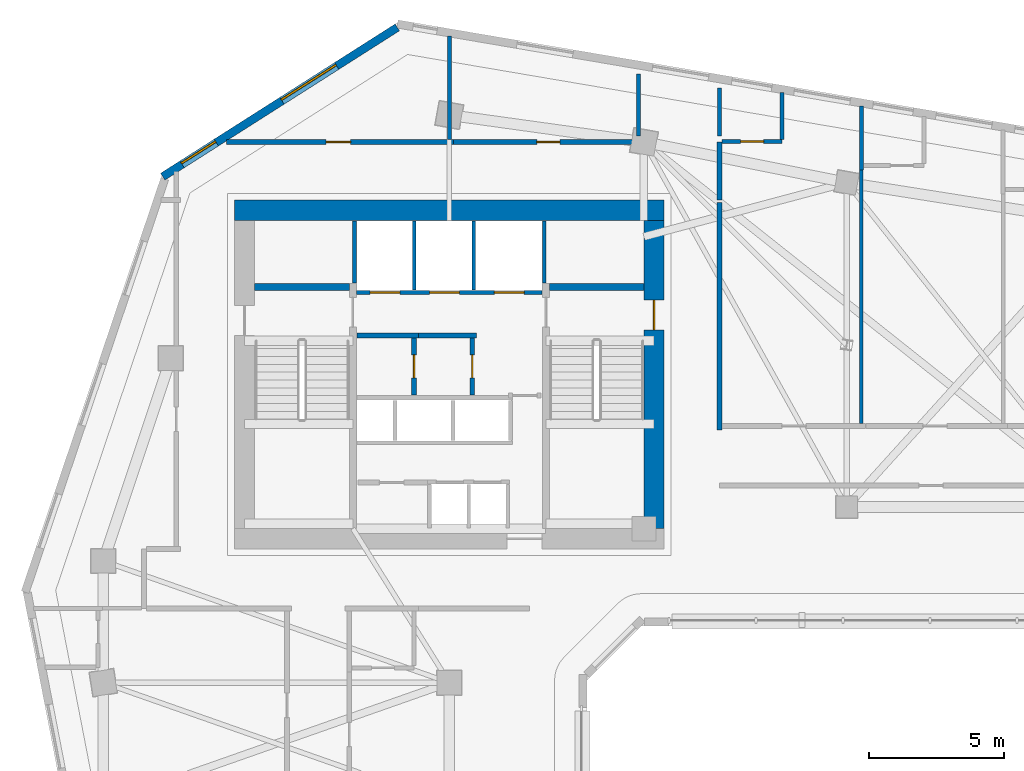
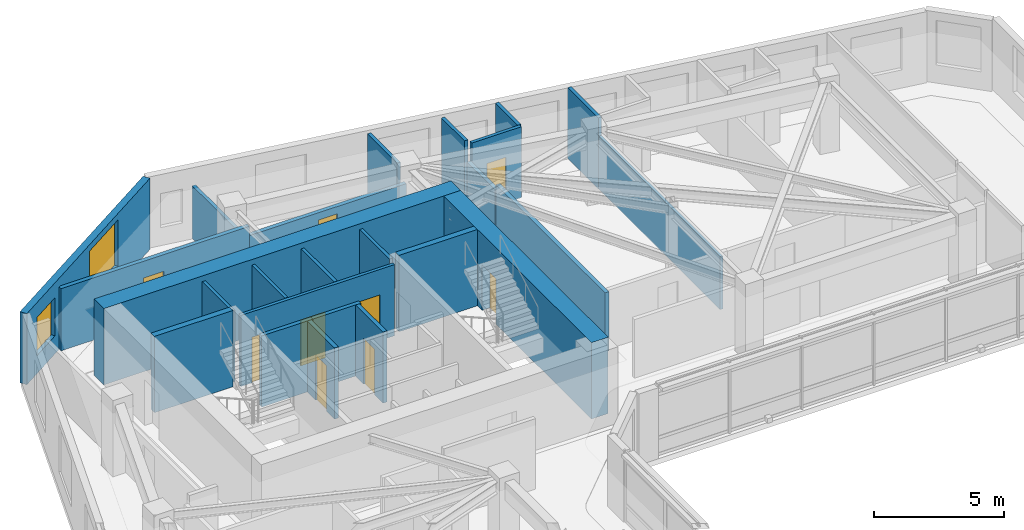
# One storey, part 7 of 11: 25 walls, 9 doors, 2 windows, 11 openings.
"""IFC4 building model written with IfcOpenShell, lengths in metres."""

from ifc_helpers import new_model, si_unit, direction, frame, frame_2d, origin, place, context, subcontext, project, spatial, rectangle, extrude, source, transform, mapped, material, layer, layer_set, type_object, element, fill, save


model = new_model("IFC4")

# Units and contexts
model_context = context("Model", 3, precision=1e-05, world=origin(), true_north=direction((0.0, 1.0)))
body_context = subcontext(model_context, "Body", "Model", "MODEL_VIEW")
ifc_project = project(units=[si_unit("LENGTHUNIT", "METRE"), si_unit("AREAUNIT", "SQUARE_METRE"), si_unit("VOLUMEUNIT", "CUBIC_METRE"), si_unit("PLANEANGLEUNIT", "RADIAN"), si_unit("MASSUNIT", "GRAM", prefix="KILO")], contexts=[model_context])

# Site, building, storey
site_placement = place(None, origin())
site = spatial("IfcSite", under=ifc_project, at=site_placement, CompositionType="ELEMENT")
building_placement = place(site_placement, origin())
building = spatial("IfcBuilding", under=site, at=building_placement, Name="Calvemar Wedge Station Tower", CompositionType="ELEMENT")
storey_placement = place(building_placement, frame((0.0, 0.0, 114.199951171875)))
storey = spatial("IfcBuildingStorey", under=building, at=storey_placement, Name="L27", CompositionType="ELEMENT", Elevation=114.199951171875)

# Walls
ifc_material_1 = material(Name="Concrete C50", Category="concrete")
ifc_layer_1 = layer(ifc_material_1, 0.260009765625)
ifc_layer_set_1 = layer_set([ifc_layer_1], Name="Concrete C50")
wall_type_1 = type_object("IfcWallType", Name="SW-CORE-260", PredefinedType="SHEAR", material=ifc_layer_set_1)
for number, where, z_axis, x_axis, name in (
    (1, (16.60009765625, 43.1298828125, 0.0), (0.0, 0.0, 1.0), (1.0, 0.0, 0.0), "Storey L27 Core Shear Wall STC1-N"),
    (2, (27.5, 43.1298828125, 0.0), (0.0, 0.0, 1.0), (1.0, 0.0, 0.0), "Storey L27 Core Shear Wall STC2-N"),
):
    element("IfcWall", number, at=place(storey_placement, frame(where, z_axis=z_axis, x_axis=x_axis)), inside=storey, type_object=wall_type_1, Name=name, PredefinedType="SHEAR", context=body_context, shape_type="SweptSolid", body=[
        extrude(rectangle(XDim=3.5, YDim=0.260009765625, at=frame_2d((1.75, 0.0))), origin(), (0.0, 0.0, 1.0), 3.60009765625),
    ])
ifc_material_2 = material(Name="Concrete C70", Category="concrete")
ifc_layer_2 = layer(ifc_material_2, 0.75)
ifc_layer_set_2 = layer_set([ifc_layer_2], Name="Concrete C70")
wall_type_2 = type_object("IfcWallType", Name="SW-CORE-750", PredefinedType="SHEAR", material=ifc_layer_set_2)
wall_1_placement = place(storey_placement, frame((15.85009765625, 45.97509765625, 0.0), z_axis=(0.0, 0.0, 1.0), x_axis=(1.0, 0.0, 0.0)))
element("IfcWall", 3, at=wall_1_placement, inside=storey, type_object=wall_type_2, Name="Storey L27 Core Shear Wall N", PredefinedType="SHEAR", context=body_context, shape_type="SweptSolid", body=[
    extrude(rectangle(XDim=15.89990234375, YDim=0.75, at=frame_2d((7.949951171875, 0.0))), origin(), (0.0, 0.0, 1.0), 3.60009765625),
])

# Wall, opening, door
wall_2_placement = place(storey_placement, frame((31.375, 34.199951171875, 0.0), z_axis=(0.0, 0.0, 1.0), x_axis=(0.0, 1.0, 0.0)))
wall_2 = element("IfcWall", 4, at=wall_2_placement, inside=storey, type_object=wall_type_2, Name="Storey L27 Core Shear Wall E", PredefinedType="SHEAR", context=body_context, shape_type="SweptSolid", body=[
    extrude(rectangle(XDim=11.400146484375, YDim=0.75, at=frame_2d((5.7001953125, 0.0))), origin(), (0.0, 0.0, 1.0), 3.60009765625),
])
shared_shape_1 = source(origin(), body_context, "Body", "SweptSolid", [
    extrude(rectangle(XDim=1.10009765625, YDim=2.14990234375, at=frame_2d((0.550048828125, 1.074951171875))), frame((0.0, 0.385009765625, 0.0), z_axis=(0.0, -1.0, 0.0), x_axis=(1.0, 0.0, 0.0)), (0.0, 0.0, 1.0), 0.77001953125),
])
opening_1_placement = place(wall_2_placement, frame((7.35009765625, 0.0, 0.0)))
opening_1 = element("IfcOpeningElement", 5, at=opening_1_placement, cuts=wall_2, Name="Opening FD-90", PredefinedType="OPENING", context=body_context, shape_type="MappedRepresentation", body=[
    mapped(shared_shape_1, transform((0.0, 0.0, 0.0), scale=1.0)),
])
ifc_material_3 = material(Name="Galvanized fire-rated steel door leaf P-90", Category="steel")
door_type_1 = type_object("IfcDoorType", Name="DR-FD90-1100", OperationType="NOTDEFINED", PredefinedType="DOOR", material=ifc_material_3)
shared_shape_2 = source(origin(), body_context, "Body", "SweptSolid", [
    extrude(rectangle(XDim=1.10009765625, YDim=2.14990234375, at=frame_2d((0.550048828125, 1.074951171875))), frame((0.0, 0.02490234375, 0.0), z_axis=(0.0, -1.0, 0.0), x_axis=(1.0, 0.0, 0.0)), (0.0, 0.0, 1.0), 0.050048828125),
])
door_1_placement = place(opening_1_placement, origin())
door_1 = element("IfcDoor", 6, at=door_1_placement, inside=storey, type_object=door_type_1, Name="L27 East Corridor to Exit Stair ST-C2 Door", OperationType="SINGLE_SWING_LEFT", OverallHeight=2.14990234375, OverallWidth=1.10009765625, PredefinedType="DOOR", context=body_context, shape_type="MappedRepresentation", body=[
    mapped(shared_shape_2, transform((0.0, 0.0, 0.0), scale=1.0)),
])
fill(opening_1, door_1)

# Walls
ifc_material_4 = material(Name="Double-stud fire-rated corridor partition")
ifc_layer_3 = layer(ifc_material_4, 0.179931640625)
ifc_layer_set_3 = layer_set([ifc_layer_3], Name="Double-stud fire-rated corridor partition")
wall_type_3 = type_object("IfcWallType", Name="W-CORR-180", PredefinedType="PARTITIONING", material=ifc_layer_set_3)
wall_3_placement = place(storey_placement, frame((22.659912109375, 41.35009765625, 0.0), z_axis=(0.0, 0.0, 1.0), x_axis=(-1.0, 0.0, 0.0)))
element("IfcWall", 7, at=wall_3_placement, inside=storey, type_object=wall_type_3, Name="Storey L27 Interior Partition WL-L27-001", PredefinedType="PARTITIONING", context=body_context, shape_type="SweptSolid", body=[
    extrude(rectangle(XDim=2.280029296875, YDim=0.179931640625, at=frame_2d((1.14013671875, 0.0))), origin(), (0.0, 0.0, 1.0), 3.35009765625),
])
wall_4_placement = place(storey_placement, frame((24.81005859375, 41.35009765625, 0.0), z_axis=(0.0, 0.0, 1.0), x_axis=(-1.0, 0.0, 0.0)))
element("IfcWall", 8, at=wall_4_placement, inside=storey, type_object=wall_type_3, Name="Storey L27 Interior Partition WL-L27-002", PredefinedType="PARTITIONING", context=body_context, shape_type="SweptSolid", body=[
    extrude(rectangle(XDim=2.14794921875, YDim=0.179931640625, at=frame_2d((1.073974609375, 0.0))), origin(), (0.0, 0.0, 1.0), 3.35009765625),
])

# Wall, opening, door
wall_5_placement = place(storey_placement, frame((22.5, 41.256103515625, 0.0), z_axis=(0.0, 0.0, 1.0), x_axis=(0.0, -1.0, 0.0)))
wall_5 = element("IfcWall", 9, at=wall_5_placement, inside=storey, type_object=wall_type_3, Name="Storey L27 Interior Partition WL-L27-003", PredefinedType="PARTITIONING", context=body_context, shape_type="SweptSolid", body=[
    extrude(rectangle(XDim=2.106201171875, YDim=0.179931640625, at=frame_2d((1.05322265625, 0.0))), origin(), (0.0, 0.0, 1.0), 3.35009765625),
])
shared_shape_3 = source(origin(), body_context, "Body", "SweptSolid", [
    extrude(rectangle(XDim=0.85009765625, YDim=2.14990234375, at=frame_2d((0.425048828125, 1.074951171875))), frame((0.0, 0.10009765625, 0.0), z_axis=(0.0, -1.0, 0.0), x_axis=(1.0, 0.0, 0.0)), (0.0, 0.0, 1.0), 0.199951171875),
])
opening_2_placement = place(wall_5_placement, frame((0.6279296875, 0.0, 0.0)))
opening_2 = element("IfcOpeningElement", 10, at=opening_2_placement, cuts=wall_5, Name="Opening FD-60S", PredefinedType="OPENING", context=body_context, shape_type="MappedRepresentation", body=[
    mapped(shared_shape_3, transform((0.0, 0.0, 0.0), scale=1.0)),
])
ifc_material_5 = material(Name="Fire-rated steel and hardwood service door EI 60", Category="steel")
door_type_2 = type_object("IfcDoorType", Name="DR-CORE-FD60-850", OperationType="NOTDEFINED", PredefinedType="DOOR", material=ifc_material_5)
shared_shape_4 = source(origin(), body_context, "Body", "SweptSolid", [
    extrude(rectangle(XDim=0.85009765625, YDim=2.14990234375, at=frame_2d((0.425048828125, 1.074951171875))), frame((0.0, 0.02490234375, 0.0), z_axis=(0.0, -1.0, 0.0), x_axis=(1.0, 0.0, 0.0)), (0.0, 0.0, 1.0), 0.050048828125),
])
door_2_placement = place(opening_2_placement, origin())
door_2 = element("IfcDoor", 11, at=door_2_placement, inside=storey, type_object=door_type_2, Name="L27 IT and Telecoms Room Door", OperationType="SINGLE_SWING_RIGHT", OverallHeight=2.14990234375, OverallWidth=0.85009765625, PredefinedType="DOOR", context=body_context, shape_type="MappedRepresentation", body=[
    mapped(shared_shape_4, transform((0.0, 0.0, 0.0), scale=1.0)),
])
fill(opening_2, door_2)

wall_6_placement = place(storey_placement, frame((24.64990234375, 41.256103515625, 0.0), z_axis=(0.0, 0.0, 1.0), x_axis=(0.0, -1.0, 0.0)))
wall_6 = element("IfcWall", 12, at=wall_6_placement, inside=storey, type_object=wall_type_3, Name="Storey L27 Interior Partition WL-L27-004", PredefinedType="PARTITIONING", context=body_context, shape_type="SweptSolid", body=[
    extrude(rectangle(XDim=2.106201171875, YDim=0.179931640625, at=frame_2d((1.05322265625, 0.0))), origin(), (0.0, 0.0, 1.0), 3.35009765625),
])
opening_3_placement = place(wall_6_placement, frame((0.6279296875, 0.0, 0.0)))
opening_3 = element("IfcOpeningElement", 13, at=opening_3_placement, cuts=wall_6, Name="Opening FD-60S", PredefinedType="OPENING", context=body_context, shape_type="MappedRepresentation", body=[
    mapped(shared_shape_3, transform((0.0, 0.0, 0.0), scale=1.0)),
])
door_3_placement = place(opening_3_placement, origin())
door_3 = element("IfcDoor", 14, at=door_3_placement, inside=storey, type_object=door_type_2, Name="L27 Core Equipment Store Door", OperationType="SINGLE_SWING_LEFT", OverallHeight=2.14990234375, OverallWidth=0.85009765625, PredefinedType="DOOR", context=body_context, shape_type="MappedRepresentation", body=[
    mapped(shared_shape_4, transform((0.0, 0.0, 0.0), scale=1.0)),
])
fill(opening_3, door_3)

wall_7_placement = place(storey_placement, frame((15.552490234375, 48.5, 0.0), z_axis=(0.0, 0.0, 1.0), x_axis=(1.0, 0.0, 0.0)))
wall_7 = element("IfcWall", 15, at=wall_7_placement, inside=storey, type_object=wall_type_3, Name="Storey L27 Interior Partition WL-L27-014", PredefinedType="PARTITIONING", context=body_context, shape_type="SweptSolid", body=[
    extrude(rectangle(XDim=8.407470703125, YDim=0.179931640625, at=frame_2d((4.20361328125, 0.0))), origin(), (0.0, 0.0, 1.0), 2.93505859375),
])
shared_shape_5 = source(origin(), body_context, "Body", "SweptSolid", [
    extrude(rectangle(XDim=0.89990234375, YDim=2.14990234375, at=frame_2d((0.449951171875, 1.074951171875))), frame((0.0, 0.10009765625, 0.0), z_axis=(0.0, -1.0, 0.0), x_axis=(1.0, 0.0, 0.0)), (0.0, 0.0, 1.0), 0.199951171875),
])
opening_4_placement = place(wall_7_placement, frame((3.69287109375, 0.0, 0.0)))
opening_4 = element("IfcOpeningElement", 16, at=opening_4_placement, cuts=wall_7, Name="Opening D-01", PredefinedType="OPENING", context=body_context, shape_type="MappedRepresentation", body=[
    mapped(shared_shape_5, transform((0.0, 0.0, 0.0), scale=1.0)),
])
ifc_material_6 = material(Name="Architectural hardwood acoustic swing door", Category="wood")
door_type_3 = type_object("IfcDoorType", Name="DR-INT-900", OperationType="NOTDEFINED", PredefinedType="DOOR", material=ifc_material_6)
shared_shape_6 = source(origin(), body_context, "Body", "SweptSolid", [
    extrude(rectangle(XDim=0.89990234375, YDim=2.14990234375, at=frame_2d((0.449951171875, 1.074951171875))), frame((0.0, 0.02490234375, 0.0), z_axis=(0.0, -1.0, 0.0), x_axis=(1.0, 0.0, 0.0)), (0.0, 0.0, 1.0), 0.050048828125),
])
door_4_placement = place(opening_4_placement, origin())
door_4 = element("IfcDoor", 17, at=door_4_placement, inside=storey, type_object=door_type_3, Name="L27 Guest Pantry Door", OperationType="SINGLE_SWING_LEFT", OverallHeight=2.14990234375, OverallWidth=0.89990234375, PredefinedType="DOOR", context=body_context, shape_type="MappedRepresentation", body=[
    mapped(shared_shape_6, transform((0.0, 0.0, 0.0), scale=1.0)),
])
fill(opening_4, door_4)

wall_8_placement = place(storey_placement, frame((23.9619140625, 48.5, 0.0), z_axis=(0.0, 0.0, 1.0), x_axis=(1.0, 0.0, 0.0)))
wall_8 = element("IfcWall", 18, at=wall_8_placement, inside=storey, type_object=wall_type_3, Name="Storey L27 Interior Partition WL-L27-015", PredefinedType="PARTITIONING", context=body_context, shape_type="SweptSolid", body=[
    extrude(rectangle(XDim=6.998046875, YDim=0.179931640625, at=frame_2d((3.4990234375, 0.0))), origin(), (0.0, 0.0, 1.0), 2.491943359375),
])
opening_5_placement = place(wall_8_placement, frame((3.073974609375, 0.0, 0.0)))
opening_5 = element("IfcOpeningElement", 19, at=opening_5_placement, cuts=wall_8, Name="Opening D-02", PredefinedType="OPENING", context=body_context, shape_type="MappedRepresentation", body=[
    mapped(shared_shape_3, transform((0.0, 0.0, 0.0), scale=1.0)),
])
ifc_material_7 = material(Name="Moisture-sealed bathroom hardwood swing door", Category="wood")
door_type_4 = type_object("IfcDoorType", Name="DR-WET-850", OperationType="NOTDEFINED", PredefinedType="DOOR", material=ifc_material_7)
shared_shape_7 = source(origin(), body_context, "Body", "SweptSolid", [
    extrude(rectangle(XDim=0.85009765625, YDim=2.14990234375, at=frame_2d((0.425048828125, 1.074951171875))), frame((0.0, 0.02490234375, 0.0), z_axis=(0.0, -1.0, 0.0), x_axis=(1.0, 0.0, 0.0)), (0.0, 0.0, 1.0), 0.050048828125),
])
door_5_placement = place(opening_5_placement, origin())
door_5 = element("IfcDoor", 20, at=door_5_placement, inside=storey, type_object=door_type_4, Name="L27 Accessible WC Door", OperationType="SINGLE_SWING_RIGHT", OverallHeight=2.14990234375, OverallWidth=0.85009765625, PredefinedType="DOOR", context=body_context, shape_type="MappedRepresentation", body=[
    mapped(shared_shape_7, transform((0.0, 0.0, 0.0), scale=1.0)),
])
fill(opening_5, door_5)

# Walls
wall_9_placement = place(storey_placement, frame((33.800048828125, 48.5, 0.0), z_axis=(0.0, 0.0, 1.0), x_axis=(0.0, -1.0, 0.0)))
element("IfcWall", 21, at=wall_9_placement, inside=storey, type_object=wall_type_3, Name="Storey L27 Interior Partition WL-L27-016", PredefinedType="PARTITIONING", context=body_context, shape_type="SweptSolid", body=[
    extrude(rectangle(XDim=2.14990234375, YDim=0.179931640625, at=frame_2d((1.074951171875, 0.0))), origin(), (0.0, 0.0, 1.0), 2.491943359375),
])
wall_10_placement = place(storey_placement, frame((33.800048828125, 46.256103515625, 0.0), z_axis=(0.0, 0.0, 1.0), x_axis=(0.0, -1.0, 0.0)))
element("IfcWall", 22, at=wall_10_placement, inside=storey, type_object=wall_type_3, Name="Storey L27 Interior Partition WL-L27-017", PredefinedType="PARTITIONING", context=body_context, shape_type="SweptSolid", body=[
    extrude(rectangle(XDim=8.416015625, YDim=0.179931640625, at=frame_2d((4.2080078125, 0.0))), origin(), (0.0, 0.0, 1.0), 2.7880859375),
])

# Wall, openings, windows
ifc_material_8 = material(Name="Precast concrete C45", Category="concrete")
ifc_layer_4 = layer(ifc_material_8, 0.300048828125)
ifc_layer_set_4 = layer_set([ifc_layer_4], Name="Precast concrete C45")
wall_type_4 = type_object("IfcWallType", Name="W-EXT-GFRC-300", PredefinedType="SOLIDWALL", material=ifc_layer_set_4)
wall_11_placement = place(storey_placement, frame((21.874755859375, 52.742431640625, 0.0), z_axis=(0.0, 0.0, 1.0), x_axis=(-0.843662465249, -0.536873956092, 0.0)))
wall_11 = element("IfcWall", 23, at=wall_11_placement, inside=storey, type_object=wall_type_4, Name="Storey L27 Bronze GFRC Exterior Wall 11", PredefinedType="SOLIDWALL", context=body_context, shape_type="SweptSolid", body=[
    extrude(rectangle(XDim=10.283935546875, YDim=0.300048828125, at=frame_2d((5.14208984375, 0.0))), origin(), (0.0, 0.0, 1.0), 3.35009765625),
])
shared_shape_8 = source(origin(), body_context, "Body", "SweptSolid", [
    extrude(rectangle(XDim=2.39990234375, YDim=2.199951171875, at=frame_2d((1.199951171875, 1.10009765625))), frame((0.0, 0.16015625, 0.0), z_axis=(0.0, -1.0, 0.0), x_axis=(1.0, 0.0, 0.0)), (0.0, 0.0, 1.0), 0.320068359375),
])
opening_6_placement = place(wall_11_placement, frame((2.656005859375, 0.0, 0.85009765625)))
opening_6 = element("IfcOpeningElement", 24, at=opening_6_placement, cuts=wall_11, Name="Opening W1", PredefinedType="OPENING", context=body_context, shape_type="MappedRepresentation", body=[
    mapped(shared_shape_8, transform((0.0, 0.0, 0.0), scale=1.0)),
])
shared_shape_9 = source(origin(), body_context, "Body", "SweptSolid", [
    extrude(rectangle(XDim=1.5, YDim=1.800048828125, at=frame_2d((0.75, 0.89990234375))), frame((0.0, 0.16015625, 0.0), z_axis=(0.0, -1.0, 0.0), x_axis=(1.0, 0.0, 0.0)), (0.0, 0.0, 1.0), 0.320068359375),
])
opening_7_placement = place(wall_11_placement, frame((7.93701171875, 0.0, 0.85009765625)))
opening_7 = element("IfcOpeningElement", 25, at=opening_7_placement, cuts=wall_11, Name="Opening W3", PredefinedType="OPENING", context=body_context, shape_type="MappedRepresentation", body=[
    mapped(shared_shape_9, transform((0.0, 0.0, 0.0), scale=1.0)),
])
ifc_material_9 = material(Name="Low-E laminated insulated glass", Category="glass")
window_type_1 = type_object("IfcWindowType", Name="WIN-EXT-1", PartitioningType="SINGLE_PANEL", PredefinedType="WINDOW", material=ifc_material_9)
shared_shape_10 = source(origin(), body_context, "Body", "SweptSolid", [
    extrude(rectangle(XDim=2.39990234375, YDim=2.199951171875, at=frame_2d((1.199951171875, 1.10009765625))), frame((0.0, -0.014892578125, 0.0), z_axis=(0.0, -1.0, 0.0), x_axis=(1.0, 0.0, 0.0)), (0.0, 0.0, 1.0), 0.06005859375),
])
window_1_placement = place(opening_6_placement, origin())
window_1 = element("IfcWindow", 26, at=window_1_placement, inside=storey, type_object=window_type_1, Name="Storey L27 Recessed Window 11.1", OverallHeight=2.199951171875, OverallWidth=2.39990234375, PartitioningType="SINGLE_PANEL", PredefinedType="WINDOW", context=body_context, shape_type="MappedRepresentation", body=[
    mapped(shared_shape_10, transform((0.0, 0.0, 0.0), scale=1.0)),
])
fill(opening_6, window_1)
window_type_2 = type_object("IfcWindowType", Name="WIN-EXT-3", PartitioningType="SINGLE_PANEL", PredefinedType="WINDOW", material=ifc_material_9)
shared_shape_11 = source(origin(), body_context, "Body", "SweptSolid", [
    extrude(rectangle(XDim=1.5, YDim=1.800048828125, at=frame_2d((0.75, 0.89990234375))), frame((0.0, -0.014892578125, 0.0), z_axis=(0.0, -1.0, 0.0), x_axis=(1.0, 0.0, 0.0)), (0.0, 0.0, 1.0), 0.06005859375),
])
window_2_placement = place(opening_7_placement, origin())
window_2 = element("IfcWindow", 27, at=window_2_placement, inside=storey, type_object=window_type_2, Name="Storey L27 Recessed Window 11.2", OverallHeight=1.800048828125, OverallWidth=1.5, PartitioningType="SINGLE_PANEL", PredefinedType="WINDOW", context=body_context, shape_type="MappedRepresentation", body=[
    mapped(shared_shape_11, transform((0.0, 0.0, 0.0), scale=1.0)),
])
fill(opening_7, window_2)

# Wall, openings, doors
ifc_material_10 = material(Name="Reinforced concrete blockwork lift shaft wall", Category="masonry")
ifc_layer_5 = layer(ifc_material_10, 0.139892578125)
ifc_layer_set_5 = layer_set([ifc_layer_5], Name="Reinforced concrete blockwork lift shaft wall")
wall_type_5 = type_object("IfcWallType", Name="W-LIFT-160", PredefinedType="SOLIDWALL", material=ifc_layer_set_5)
wall_12_placement = place(storey_placement, frame((20.3701171875, 42.929931640625, 0.0), z_axis=(0.0, 0.0, 1.0), x_axis=(1.0, 0.0, 0.0)))
wall_12 = element("IfcWall", 28, at=wall_12_placement, inside=storey, type_object=wall_type_5, Name="Storey L27 Firefighting and Service Lift Shaft Front Wall", PredefinedType="SOLIDWALL", context=body_context, shape_type="SweptSolid", body=[
    extrude(rectangle(XDim=6.85986328125, YDim=0.139892578125, at=frame_2d((3.429931640625, 0.0))), origin(), (0.0, 0.0, 1.0), 3.35009765625),
])
shared_shape_12 = source(origin(), body_context, "Body", "SweptSolid", [
    extrude(rectangle(XDim=1.10009765625, YDim=2.14990234375, at=frame_2d((0.550048828125, 1.074951171875))), frame((0.0, 0.080078125, 0.0), z_axis=(0.0, -1.0, 0.0), x_axis=(1.0, 0.0, 0.0)), (0.0, 0.0, 1.0), 0.159912109375),
])
opening_8_placement = place(wall_12_placement, frame((0.5, 0.0, 0.0)))
opening_8 = element("IfcOpeningElement", 29, at=opening_8_placement, cuts=wall_12, Name="Opening LD-FF", PredefinedType="OPENING", context=body_context, shape_type="MappedRepresentation", body=[
    mapped(shared_shape_12, transform((0.0, 0.0, 0.0), scale=1.0)),
])
opening_9_placement = place(wall_12_placement, frame((2.699951171875, 0.0, 0.0)))
opening_9 = element("IfcOpeningElement", 30, at=opening_9_placement, cuts=wall_12, Name="Opening LD-FF", PredefinedType="OPENING", context=body_context, shape_type="MappedRepresentation", body=[
    mapped(shared_shape_12, transform((0.0, 0.0, 0.0), scale=1.0)),
])
opening_10_placement = place(wall_12_placement, frame((5.10009765625, 0.0, 0.0)))
opening_10 = element("IfcOpeningElement", 31, at=opening_10_placement, cuts=wall_12, Name="Opening LD-STN", PredefinedType="OPENING", context=body_context, shape_type="MappedRepresentation", body=[
    mapped(shared_shape_12, transform((0.0, 0.0, 0.0), scale=1.0)),
])
ifc_material_11 = material(Name="Stainless steel firefighting lift sliding landing door", Category="steel")
door_type_5 = type_object("IfcDoorType", Name="DR-LD-FF-1100", OperationType="SLIDING_TO_LEFT", PredefinedType="DOOR", material=ifc_material_11)
shared_shape_13 = source(origin(), body_context, "Body", "SweptSolid", [
    extrude(rectangle(XDim=1.10009765625, YDim=2.14990234375, at=frame_2d((0.550048828125, 1.074951171875))), frame((0.0, 0.02490234375, 0.0), z_axis=(0.0, -1.0, 0.0), x_axis=(1.0, 0.0, 0.0)), (0.0, 0.0, 1.0), 0.050048828125),
])
door_6_placement = place(opening_8_placement, origin())
door_6 = element("IfcDoor", 32, at=door_6_placement, inside=storey, type_object=door_type_5, Name="L27 Lift FF-01 Sliding Landing Door", OperationType="SLIDING_TO_LEFT", OverallHeight=2.14990234375, OverallWidth=1.10009765625, PredefinedType="DOOR", context=body_context, shape_type="MappedRepresentation", body=[
    mapped(shared_shape_13, transform((0.0, 0.0, 0.0), scale=1.0)),
])
fill(opening_8, door_6)
door_7_placement = place(opening_9_placement, origin())
door_7 = element("IfcDoor", 33, at=door_7_placement, inside=storey, type_object=door_type_5, Name="L27 Lift FF-02 Sliding Landing Door", OperationType="SLIDING_TO_RIGHT", OverallHeight=2.14990234375, OverallWidth=1.10009765625, PredefinedType="DOOR", context=body_context, shape_type="MappedRepresentation", body=[
    mapped(shared_shape_13, transform((0.0, 0.0, 0.0), scale=1.0)),
])
fill(opening_9, door_7)
ifc_material_12 = material(Name="Stainless steel transit lift sliding landing door", Category="steel")
door_type_6 = type_object("IfcDoorType", Name="DR-LD-PAX-1100", OperationType="SLIDING_TO_LEFT", PredefinedType="DOOR", material=ifc_material_12)
shared_shape_14 = source(origin(), body_context, "Body", "SweptSolid", [
    extrude(rectangle(XDim=1.10009765625, YDim=2.14990234375, at=frame_2d((0.550048828125, 1.074951171875))), frame((0.0, 0.02490234375, 0.0), z_axis=(0.0, -1.0, 0.0), x_axis=(1.0, 0.0, 0.0)), (0.0, 0.0, 1.0), 0.050048828125),
])
door_8_placement = place(opening_10_placement, origin())
door_8 = element("IfcDoor", 34, at=door_8_placement, inside=storey, type_object=door_type_6, Name="L27 Lift SV-01 Sliding Landing Door", OperationType="SLIDING_TO_LEFT", OverallHeight=2.14990234375, OverallWidth=1.10009765625, PredefinedType="DOOR", context=body_context, shape_type="MappedRepresentation", body=[
    mapped(shared_shape_14, transform((0.0, 0.0, 0.0), scale=1.0)),
])
fill(opening_10, door_8)

# Walls
for number, where, z_axis, x_axis, name in (
    (35, (20.2900390625, 43.280029296875, 0.0), (0.0, 0.0, 1.0), (0.0, 1.0, 0.0), "Storey L27 Firefighting Lift Shaft Enclosure Wall W"),
    (36, (27.31005859375, 43.280029296875, 0.0), (0.0, 0.0, 1.0), (0.0, 1.0, 0.0), "Storey L27 Firefighting Lift Shaft Enclosure Wall E"),
):
    element("IfcWall", number, at=place(storey_placement, frame(where, z_axis=z_axis, x_axis=x_axis)), inside=storey, type_object=wall_type_5, Name=name, PredefinedType="SOLIDWALL", context=body_context, shape_type="SweptSolid", body=[
        extrude(rectangle(XDim=2.300048828125, YDim=0.139892578125, at=frame_2d((1.14990234375, 0.0))), origin(), (0.0, 0.0, 1.0), 3.35009765625),
    ])
for number, where, z_axis, x_axis, name in (
    (37, (22.5, 43.02001953125, 0.0), (0.0, 0.0, 1.0), (0.0, 1.0, 0.0), "Storey L27 Firefighting Lift Shaft Enclosure Wall D1"),
    (38, (24.699951171875, 43.02001953125, 0.0), (0.0, 0.0, 1.0), (0.0, 1.0, 0.0), "Storey L27 Firefighting Lift Shaft Enclosure Wall D2"),
):
    element("IfcWall", number, at=place(storey_placement, frame(where, z_axis=z_axis, x_axis=x_axis)), inside=storey, type_object=wall_type_5, Name=name, PredefinedType="SOLIDWALL", context=body_context, shape_type="SweptSolid", body=[
        extrude(rectangle(XDim=2.56005859375, YDim=0.139892578125, at=frame_2d((1.280029296875, 0.0))), origin(), (0.0, 0.0, 1.0), 3.35009765625),
    ])
ifc_material_13 = material(Name="Insulated acoustic gypsum stud partition")
ifc_layer_6 = layer(ifc_material_13, 0.125)
ifc_layer_set_6 = layer_set([ifc_layer_6], Name="Insulated acoustic gypsum stud partition")
wall_type_6 = type_object("IfcWallType", Name="W-PART-125", PredefinedType="PARTITIONING", material=ifc_layer_set_6)
wall_13_placement = place(storey_placement, frame((39.044921875, 47.470458984375, 0.0), z_axis=(0.0, 0.0, 1.0), x_axis=(0.0, -1.0, 0.0)))
element("IfcWall", 39, at=wall_13_placement, inside=storey, type_object=wall_type_6, Name="Storey L27 Interior Partition WL-L27-029", PredefinedType="PARTITIONING", context=body_context, shape_type="SweptSolid", body=[
    extrude(rectangle(XDim=9.37646484375, YDim=0.125, at=frame_2d((4.688232421875, 0.0))), origin(), (0.0, 0.0, 1.0), 2.491943359375),
])
ifc_material_14 = material(Name="Moisture-resistant acoustic bathroom partition")
ifc_layer_7 = layer(ifc_material_14, 0.14990234375)
ifc_layer_set_7 = layer_set([ifc_layer_7], Name="Moisture-resistant acoustic bathroom partition")
wall_type_7 = type_object("IfcWallType", Name="W-WET-150", PredefinedType="PARTITIONING", material=ifc_layer_set_7)
wall_14_placement = place(storey_placement, frame((23.800048828125, 52.425048828125, 0.0), z_axis=(0.0, 0.0, 1.0), x_axis=(0.0, -1.0, 0.0)))
element("IfcWall", 40, at=wall_14_placement, inside=storey, type_object=wall_type_7, Name="Storey L27 Interior Partition WL-L27-020", PredefinedType="PARTITIONING", context=body_context, shape_type="SweptSolid", body=[
    extrude(rectangle(XDim=3.8310546875, YDim=0.14990234375, at=frame_2d((1.91552734375, 0.0))), origin(), (0.0, 0.0, 1.0), 2.491943359375),
])

# Wall, opening, door
wall_15_placement = place(storey_placement, frame((36.10791015625, 48.5244140625, 0.0), z_axis=(0.0, 0.0, 1.0), x_axis=(-1.0, 0.0, 0.0)))
wall_15 = element("IfcWall", 41, at=wall_15_placement, inside=storey, type_object=wall_type_7, Name="Storey L27 Interior Partition WL-L27-026", PredefinedType="PARTITIONING", context=body_context, shape_type="SweptSolid", body=[
    extrude(rectangle(XDim=2.2138671875, YDim=0.14990234375, at=frame_2d((1.10693359375, 0.0))), origin(), (0.0, 0.0, 1.0), 3.35009765625),
])
shared_shape_15 = source(origin(), body_context, "Body", "SweptSolid", [
    extrude(rectangle(XDim=0.85009765625, YDim=2.14990234375, at=frame_2d((0.425048828125, 1.074951171875))), frame((0.0, 0.0849609375, 0.0), z_axis=(0.0, -1.0, 0.0), x_axis=(1.0, 0.0, 0.0)), (0.0, 0.0, 1.0), 0.169921875),
])
opening_11_placement = place(wall_15_placement, frame((0.681884765625, 0.0, 0.0)))
opening_11 = element("IfcOpeningElement", 42, at=opening_11_placement, cuts=wall_15, Name="Opening D-02", PredefinedType="OPENING", context=body_context, shape_type="MappedRepresentation", body=[
    mapped(shared_shape_15, transform((0.0, 0.0, 0.0), scale=1.0)),
])
door_9_placement = place(opening_11_placement, origin())
door_9 = element("IfcDoor", 43, at=door_9_placement, inside=storey, type_object=door_type_4, Name="L27 En-Suite Bathroom Door", OperationType="SINGLE_SWING_LEFT", OverallHeight=2.14990234375, OverallWidth=0.85009765625, PredefinedType="DOOR", context=body_context, shape_type="MappedRepresentation", body=[
    mapped(shared_shape_7, transform((0.0, 0.0, 0.0), scale=1.0)),
])
fill(opening_11, door_9)

# Walls
wall_16_placement = place(storey_placement, frame((36.10791015625, 50.331787109375, 0.0), z_axis=(0.0, 0.0, 1.0), x_axis=(0.0, -1.0, 0.0)))
element("IfcWall", 44, at=wall_16_placement, inside=storey, type_object=wall_type_7, Name="Storey L27 Interior Partition WL-L27-027", PredefinedType="PARTITIONING", context=body_context, shape_type="SweptSolid", body=[
    extrude(rectangle(XDim=1.728271484375, YDim=0.14990234375, at=frame_2d((0.8642578125, 0.0))), origin(), (0.0, 0.0, 1.0), 3.35009765625),
])
wall_17_placement = place(storey_placement, frame((39.044921875, 49.83251953125, 0.0), z_axis=(0.0, 0.0, 1.0), x_axis=(0.0, -1.0, 0.0)))
element("IfcWall", 45, at=wall_17_placement, inside=storey, type_object=wall_type_7, Name="Storey L27 Interior Partition WL-L27-028", PredefinedType="PARTITIONING", context=body_context, shape_type="SweptSolid", body=[
    extrude(rectangle(XDim=2.360107421875, YDim=0.14990234375, at=frame_2d((1.18017578125, 0.0))), origin(), (0.0, 0.0, 1.0), 3.35009765625),
])
wall_18_placement = place(storey_placement, frame((30.800048828125, 51.011474609375, 0.0), z_axis=(0.0, 0.0, 1.0), x_axis=(0.0, -1.0, 0.0)))
element("IfcWall", 46, at=wall_18_placement, inside=storey, type_object=wall_type_7, Name="Storey L27 Bathroom Enclosure Wall WL-L27-058", PredefinedType="PARTITIONING", context=body_context, shape_type="SweptSolid", body=[
    extrude(rectangle(XDim=2.29150390625, YDim=0.14990234375, at=frame_2d((1.145751953125, 0.0))), origin(), (0.0, 0.0, 1.0), 3.35009765625),
])
wall_19_placement = place(storey_placement, frame((33.800048828125, 48.72314453125, 0.0), z_axis=(0.0, 0.0, 1.0), x_axis=(0.0, 1.0, 0.0)))
element("IfcWall", 47, at=wall_19_placement, inside=storey, type_object=wall_type_7, Name="Storey L27 Bathroom Enclosure Wall WL-L27-059", PredefinedType="PARTITIONING", context=body_context, shape_type="SweptSolid", body=[
    extrude(rectangle(XDim=1.778076171875, YDim=0.14990234375, at=frame_2d((0.88916015625, 0.0))), origin(), (0.0, 0.0, 1.0), 3.35009765625),
])

save(model, "model.ifc")
